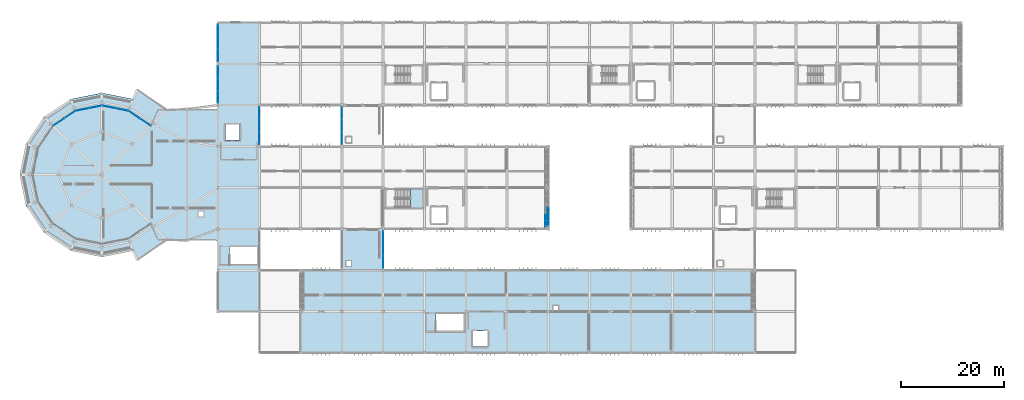
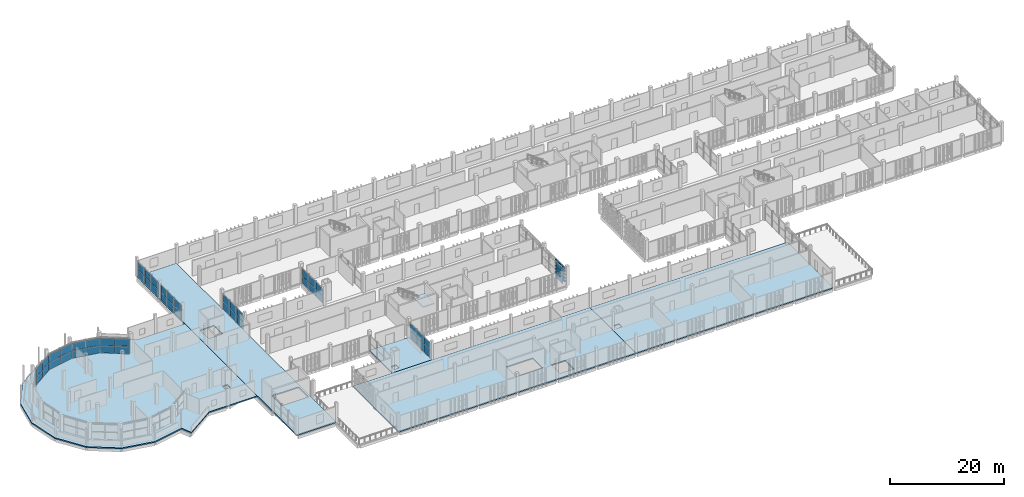
# One storey, part 40 of 63: 58 plates, 6 slabs, 11 elements without a shape of their own.
"""IFC4 building model written with IfcOpenShell, lengths in metres."""

from ifc_helpers import new_model, si_unit, direction, frame, origin, origin_2d, place, context, subcontext, project, spatial, polyline, rectangle, outline, extrude, material, layer, layer_set, type_object, element, aggregate, save


model = new_model("IFC4")

# Units and contexts
model_context = context("Model", 3, precision=1e-05, world=origin(), true_north=direction((0.0, 1.0)))
body_context = subcontext(model_context, "Body", "Model", "MODEL_VIEW")
ifc_project = project(units=[si_unit("LENGTHUNIT", "METRE"), si_unit("AREAUNIT", "SQUARE_METRE"), si_unit("VOLUMEUNIT", "CUBIC_METRE"), si_unit("PLANEANGLEUNIT", "RADIAN"), si_unit("MASSUNIT", "GRAM", prefix="KILO")], contexts=[model_context])

# Site, building, storey
site_placement = place(None, origin())
site = spatial("IfcSite", under=ifc_project, at=site_placement, CompositionType="ELEMENT")
building_placement = place(site_placement, origin())
building = spatial("IfcBuilding", under=site, at=building_placement, Name="Jelvoka-Kovrelna Polytechnic", CompositionType="ELEMENT")
storey_placement = place(building_placement, frame((0.0, 0.0, 18.0)))
storey = spatial("IfcBuildingStorey", under=building, at=storey_placement, Name="L05", CompositionType="ELEMENT", Elevation=18.0)

# Curtain wall, plates
ifc_material_1 = material(Name="Anodised aluminium 6063-T6", Category="aluminium")
ifc_layer_1 = layer(ifc_material_1, 0.159912109375)
ifc_layer_set_1 = layer_set([ifc_layer_1], Name="Anodised aluminium 6063-T6")
curtain_wall_type_1 = type_object("IfcCurtainWallType", Name="CW_Recessed_A", PredefinedType="NOTDEFINED", material=ifc_layer_set_1)
curtain_wall_1_placement = place(storey_placement, origin())
curtain_wall_1 = element("IfcCurtainWall", 1, at=curtain_wall_1_placement, inside=storey, type_object=curtain_wall_type_1, Name="L05 glazed curtain wall 033", PredefinedType="NOTDEFINED")
ifc_material_2 = material(Name="Solar-control double glazing", Category="glass")
ifc_layer_2 = layer(ifc_material_2, 0.028076171875)
ifc_layer_set_2 = layer_set([ifc_layer_2], Name="Solar-control double glazing")
plate_type_1 = type_object("IfcPlateType", Name="Panel_GP-01", PredefinedType="CURTAIN_PANEL", material=ifc_layer_set_2)
plate_1_placement = place(storey_placement, frame((111.43994140625, 33.614990234375, 0.052001953125), z_axis=(0.0, 0.0, 1.0), x_axis=(0.0, -1.0, 0.0)))
plate_1 = element("IfcPlate", 2, at=plate_1_placement, type_object=plate_type_1, Name="CW-01 panel 3.1", PredefinedType="CURTAIN_PANEL", context=body_context, shape_type="SweptSolid", body=[
    extrude(rectangle(XDim=2.326171875, YDim=0.028076171875, at=origin_2d()), origin(), (0.0, 0.0, 1.0), 1.60107421875),
])
plate_2_placement = place(storey_placement, frame((111.43994140625, 33.614990234375, 1.697021484375), z_axis=(0.0, 0.0, 1.0), x_axis=(0.0, -1.0, 0.0)))
plate_2 = element("IfcPlate", 3, at=plate_2_placement, type_object=plate_type_1, Name="CW-01 panel 3.2", PredefinedType="CURTAIN_PANEL", context=body_context, shape_type="SweptSolid", body=[
    extrude(rectangle(XDim=2.326171875, YDim=0.028076171875, at=origin_2d()), origin(), (0.0, 0.0, 1.0), 1.60107421875),
])
aggregate(curtain_wall_1, [plate_1, plate_2])

ifc_material_3 = material(Name="Anodised aluminium 6063-T6", Category="aluminium")
ifc_layer_3 = layer(ifc_material_3, 0.159912109375)
ifc_layer_set_3 = layer_set([ifc_layer_3], Name="Anodised aluminium 6063-T6")
curtain_wall_type_2 = type_object("IfcCurtainWallType", Name="CW_LinkBridge", PredefinedType="NOTDEFINED", material=ifc_layer_set_3)
curtain_wall_2_placement = place(storey_placement, origin())
curtain_wall_2 = element("IfcCurtainWall", 4, at=curtain_wall_2_placement, inside=storey, type_object=curtain_wall_type_2, Name="L05 glazed curtain wall 146", PredefinedType="NOTDEFINED")
ifc_material_4 = material(Name="Solar-control double glazing", Category="glass")
ifc_layer_4 = layer(ifc_material_4, 0.02392578125)
ifc_layer_set_4 = layer_set([ifc_layer_4], Name="Solar-control double glazing")
plate_type_2 = type_object("IfcPlateType", Name="Panel_GP-04", PredefinedType="CURTAIN_PANEL", material=ifc_layer_set_4)
plate_3_placement = place(storey_placement, frame((72.0, 49.614990234375, 0.052001953125), z_axis=(0.0, 0.0, 1.0), x_axis=(0.0, 1.0, 0.0)))
plate_3 = element("IfcPlate", 5, at=plate_3_placement, type_object=plate_type_2, Name="CW-04 panel 1.1", PredefinedType="CURTAIN_PANEL", context=body_context, shape_type="SweptSolid", body=[
    extrude(rectangle(XDim=2.326171875, YDim=0.02392578125, at=origin_2d()), origin(), (0.0, 0.0, 1.0), 1.593505859375),
])
plate_4_placement = place(storey_placement, frame((72.0, 49.614990234375, 1.689697265625), z_axis=(0.0, 0.0, 1.0), x_axis=(0.0, 1.0, 0.0)))
plate_4 = element("IfcPlate", 6, at=plate_4_placement, type_object=plate_type_2, Name="CW-04 panel 1.2", PredefinedType="CURTAIN_PANEL", context=body_context, shape_type="SweptSolid", body=[
    extrude(rectangle(XDim=2.326171875, YDim=0.02392578125, at=origin_2d()), origin(), (0.0, 0.0, 1.0), 1.593505859375),
])
plate_5_placement = place(storey_placement, frame((72.0, 52.0, 0.052001953125), z_axis=(0.0, 0.0, 1.0), x_axis=(0.0, 1.0, 0.0)))
plate_5 = element("IfcPlate", 7, at=plate_5_placement, type_object=plate_type_2, Name="CW-04 panel 2.1", PredefinedType="CURTAIN_PANEL", context=body_context, shape_type="SweptSolid", body=[
    extrude(rectangle(XDim=2.356201171875, YDim=0.02392578125, at=origin_2d()), origin(), (0.0, 0.0, 1.0), 1.593505859375),
])
plate_6_placement = place(storey_placement, frame((72.0, 52.0, 1.689697265625), z_axis=(0.0, 0.0, 1.0), x_axis=(0.0, 1.0, 0.0)))
plate_6 = element("IfcPlate", 8, at=plate_6_placement, type_object=plate_type_2, Name="CW-04 panel 2.2", PredefinedType="CURTAIN_PANEL", context=body_context, shape_type="SweptSolid", body=[
    extrude(rectangle(XDim=2.356201171875, YDim=0.02392578125, at=origin_2d()), origin(), (0.0, 0.0, 1.0), 1.593505859375),
])
plate_7_placement = place(storey_placement, frame((72.0, 54.385009765625, 0.052001953125), z_axis=(0.0, 0.0, 1.0), x_axis=(0.0, 1.0, 0.0)))
plate_7 = element("IfcPlate", 9, at=plate_7_placement, type_object=plate_type_2, Name="CW-04 panel 3.1", PredefinedType="CURTAIN_PANEL", context=body_context, shape_type="SweptSolid", body=[
    extrude(rectangle(XDim=2.326171875, YDim=0.02392578125, at=origin_2d()), origin(), (0.0, 0.0, 1.0), 1.593505859375),
])
plate_8_placement = place(storey_placement, frame((72.0, 54.385009765625, 1.689697265625), z_axis=(0.0, 0.0, 1.0), x_axis=(0.0, 1.0, 0.0)))
plate_8 = element("IfcPlate", 10, at=plate_8_placement, type_object=plate_type_2, Name="CW-04 panel 3.2", PredefinedType="CURTAIN_PANEL", context=body_context, shape_type="SweptSolid", body=[
    extrude(rectangle(XDim=2.326171875, YDim=0.02392578125, at=origin_2d()), origin(), (0.0, 0.0, 1.0), 1.593505859375),
])
aggregate(curtain_wall_2, [plate_3, plate_4, plate_5, plate_6, plate_7, plate_8])

curtain_wall_3_placement = place(storey_placement, origin())
curtain_wall_3 = element("IfcCurtainWall", 11, at=curtain_wall_3_placement, inside=storey, type_object=curtain_wall_type_2, Name="L05 glazed curtain wall 149", PredefinedType="NOTDEFINED")
plate_9_placement = place(storey_placement, frame((80.0, 30.385009765625, 0.052001953125), z_axis=(0.0, 0.0, 1.0), x_axis=(0.0, -1.0, 0.0)))
plate_9 = element("IfcPlate", 12, at=plate_9_placement, type_object=plate_type_2, Name="CW-04 panel 1.1", PredefinedType="CURTAIN_PANEL", context=body_context, shape_type="SweptSolid", body=[
    extrude(rectangle(XDim=2.326171875, YDim=0.02392578125, at=origin_2d()), origin(), (0.0, 0.0, 1.0), 1.60107421875),
])
plate_10_placement = place(storey_placement, frame((80.0, 30.385009765625, 1.697021484375), z_axis=(0.0, 0.0, 1.0), x_axis=(0.0, -1.0, 0.0)))
plate_10 = element("IfcPlate", 13, at=plate_10_placement, type_object=plate_type_2, Name="CW-04 panel 1.2", PredefinedType="CURTAIN_PANEL", context=body_context, shape_type="SweptSolid", body=[
    extrude(rectangle(XDim=2.326171875, YDim=0.02392578125, at=origin_2d()), origin(), (0.0, 0.0, 1.0), 1.60107421875),
])
plate_11_placement = place(storey_placement, frame((80.0, 28.0, 0.052001953125), z_axis=(0.0, 0.0, 1.0), x_axis=(0.0, -1.0, 0.0)))
plate_11 = element("IfcPlate", 14, at=plate_11_placement, type_object=plate_type_2, Name="CW-04 panel 2.1", PredefinedType="CURTAIN_PANEL", context=body_context, shape_type="SweptSolid", body=[
    extrude(rectangle(XDim=2.356201171875, YDim=0.02392578125, at=origin_2d()), origin(), (0.0, 0.0, 1.0), 1.60107421875),
])
plate_12_placement = place(storey_placement, frame((80.0, 28.0, 1.697021484375), z_axis=(0.0, 0.0, 1.0), x_axis=(0.0, -1.0, 0.0)))
plate_12 = element("IfcPlate", 15, at=plate_12_placement, type_object=plate_type_2, Name="CW-04 panel 2.2", PredefinedType="CURTAIN_PANEL", context=body_context, shape_type="SweptSolid", body=[
    extrude(rectangle(XDim=2.356201171875, YDim=0.02392578125, at=origin_2d()), origin(), (0.0, 0.0, 1.0), 1.60107421875),
])
plate_13_placement = place(storey_placement, frame((80.0, 25.614990234375, 0.052001953125), z_axis=(0.0, 0.0, 1.0), x_axis=(0.0, -1.0, 0.0)))
plate_13 = element("IfcPlate", 16, at=plate_13_placement, type_object=plate_type_2, Name="CW-04 panel 3.1", PredefinedType="CURTAIN_PANEL", context=body_context, shape_type="SweptSolid", body=[
    extrude(rectangle(XDim=2.326171875, YDim=0.02392578125, at=origin_2d()), origin(), (0.0, 0.0, 1.0), 1.60107421875),
])
plate_14_placement = place(storey_placement, frame((80.0, 25.614990234375, 1.697021484375), z_axis=(0.0, 0.0, 1.0), x_axis=(0.0, -1.0, 0.0)))
plate_14 = element("IfcPlate", 17, at=plate_14_placement, type_object=plate_type_2, Name="CW-04 panel 3.2", PredefinedType="CURTAIN_PANEL", context=body_context, shape_type="SweptSolid", body=[
    extrude(rectangle(XDim=2.326171875, YDim=0.02392578125, at=origin_2d()), origin(), (0.0, 0.0, 1.0), 1.60107421875),
])
aggregate(curtain_wall_3, [plate_9, plate_10, plate_11, plate_12, plate_13, plate_14])

ifc_material_5 = material(Name="Anodised aluminium 6063-T6", Category="aluminium")
ifc_layer_5 = layer(ifc_material_5, 0.179931640625)
ifc_layer_set_5 = layer_set([ifc_layer_5], Name="Anodised aluminium 6063-T6")
curtain_wall_type_3 = type_object("IfcCurtainWallType", Name="CW_Pavilion", PredefinedType="NOTDEFINED", material=ifc_layer_set_5)
curtain_wall_4_placement = place(storey_placement, origin())
curtain_wall_4 = element("IfcCurtainWall", 18, at=curtain_wall_4_placement, inside=storey, type_object=curtain_wall_type_3, Name="L05 glazed curtain wall 153", PredefinedType="NOTDEFINED")
ifc_material_6 = material(Name="Solar-control double glazing", Category="glass")
ifc_layer_6 = layer(ifc_material_6, 0.030029296875)
ifc_layer_set_6 = layer_set([ifc_layer_6], Name="Solar-control double glazing")
plate_type_3 = type_object("IfcPlateType", Name="Panel_GP-05", PredefinedType="CURTAIN_PANEL", material=ifc_layer_set_6)
plate_15_placement = place(storey_placement, frame((56.0, 54.3837890625, 0.056884765625), z_axis=(0.0, 0.0, 1.0), x_axis=(0.0, -1.0, 0.0)))
plate_15 = element("IfcPlate", 19, at=plate_15_placement, type_object=plate_type_3, Name="CW-05 panel 1.1", PredefinedType="CURTAIN_PANEL", context=body_context, shape_type="SweptSolid", body=[
    extrude(rectangle(XDim=2.318603515625, YDim=0.030029296875, at=origin_2d()), origin(), (0.0, 0.0, 1.0), 1.593505859375),
])
plate_16_placement = place(storey_placement, frame((56.0, 54.3837890625, 1.699462890625), z_axis=(0.0, 0.0, 1.0), x_axis=(0.0, -1.0, 0.0)))
plate_16 = element("IfcPlate", 20, at=plate_16_placement, type_object=plate_type_3, Name="CW-05 panel 1.2", PredefinedType="CURTAIN_PANEL", context=body_context, shape_type="SweptSolid", body=[
    extrude(rectangle(XDim=2.318603515625, YDim=0.030029296875, at=origin_2d()), origin(), (0.0, 0.0, 1.0), 1.593505859375),
])
plate_17_placement = place(storey_placement, frame((56.0, 52.0, 0.056884765625), z_axis=(0.0, 0.0, 1.0), x_axis=(0.0, -1.0, 0.0)))
plate_17 = element("IfcPlate", 21, at=plate_17_placement, type_object=plate_type_3, Name="CW-05 panel 2.1", PredefinedType="CURTAIN_PANEL", context=body_context, shape_type="SweptSolid", body=[
    extrude(rectangle(XDim=2.35107421875, YDim=0.030029296875, at=origin_2d()), origin(), (0.0, 0.0, 1.0), 1.593505859375),
])
plate_18_placement = place(storey_placement, frame((56.0, 52.0, 1.699462890625), z_axis=(0.0, 0.0, 1.0), x_axis=(0.0, -1.0, 0.0)))
plate_18 = element("IfcPlate", 22, at=plate_18_placement, type_object=plate_type_3, Name="CW-05 panel 2.2", PredefinedType="CURTAIN_PANEL", context=body_context, shape_type="SweptSolid", body=[
    extrude(rectangle(XDim=2.35107421875, YDim=0.030029296875, at=origin_2d()), origin(), (0.0, 0.0, 1.0), 1.593505859375),
])
plate_19_placement = place(storey_placement, frame((56.0, 49.6162109375, 0.056884765625), z_axis=(0.0, 0.0, 1.0), x_axis=(0.0, -1.0, 0.0)))
plate_19 = element("IfcPlate", 23, at=plate_19_placement, type_object=plate_type_3, Name="CW-05 panel 3.1", PredefinedType="CURTAIN_PANEL", context=body_context, shape_type="SweptSolid", body=[
    extrude(rectangle(XDim=2.318603515625, YDim=0.030029296875, at=origin_2d()), origin(), (0.0, 0.0, 1.0), 1.593505859375),
])
plate_20_placement = place(storey_placement, frame((56.0, 49.6162109375, 1.699462890625), z_axis=(0.0, 0.0, 1.0), x_axis=(0.0, -1.0, 0.0)))
plate_20 = element("IfcPlate", 24, at=plate_20_placement, type_object=plate_type_3, Name="CW-05 panel 3.2", PredefinedType="CURTAIN_PANEL", context=body_context, shape_type="SweptSolid", body=[
    extrude(rectangle(XDim=2.318603515625, YDim=0.030029296875, at=origin_2d()), origin(), (0.0, 0.0, 1.0), 1.593505859375),
])
aggregate(curtain_wall_4, [plate_15, plate_16, plate_17, plate_18, plate_19, plate_20])

curtain_wall_5_placement = place(storey_placement, origin())
curtain_wall_5 = element("IfcCurtainWall", 25, at=curtain_wall_5_placement, inside=storey, type_object=curtain_wall_type_3, Name="L05 glazed curtain wall 154", PredefinedType="NOTDEFINED")
plate_21_placement = place(storey_placement, frame((48.0, 57.6162109375, 0.056884765625), z_axis=(0.0, 0.0, 1.0), x_axis=(0.0, 1.0, 0.0)))
plate_21 = element("IfcPlate", 26, at=plate_21_placement, type_object=plate_type_3, Name="CW-05 panel 1.1", PredefinedType="CURTAIN_PANEL", context=body_context, shape_type="SweptSolid", body=[
    extrude(rectangle(XDim=2.318603515625, YDim=0.030029296875, at=origin_2d()), origin(), (0.0, 0.0, 1.0), 1.593505859375),
])
plate_22_placement = place(storey_placement, frame((48.0, 57.6162109375, 1.699462890625), z_axis=(0.0, 0.0, 1.0), x_axis=(0.0, 1.0, 0.0)))
plate_22 = element("IfcPlate", 27, at=plate_22_placement, type_object=plate_type_3, Name="CW-05 panel 1.2", PredefinedType="CURTAIN_PANEL", context=body_context, shape_type="SweptSolid", body=[
    extrude(rectangle(XDim=2.318603515625, YDim=0.030029296875, at=origin_2d()), origin(), (0.0, 0.0, 1.0), 1.593505859375),
])
plate_23_placement = place(storey_placement, frame((48.0, 60.0, 0.056884765625), z_axis=(0.0, 0.0, 1.0), x_axis=(0.0, 1.0, 0.0)))
plate_23 = element("IfcPlate", 28, at=plate_23_placement, type_object=plate_type_3, Name="CW-05 panel 2.1", PredefinedType="CURTAIN_PANEL", context=body_context, shape_type="SweptSolid", body=[
    extrude(rectangle(XDim=2.35107421875, YDim=0.030029296875, at=origin_2d()), origin(), (0.0, 0.0, 1.0), 1.593505859375),
])
plate_24_placement = place(storey_placement, frame((48.0, 60.0, 1.699462890625), z_axis=(0.0, 0.0, 1.0), x_axis=(0.0, 1.0, 0.0)))
plate_24 = element("IfcPlate", 29, at=plate_24_placement, type_object=plate_type_3, Name="CW-05 panel 2.2", PredefinedType="CURTAIN_PANEL", context=body_context, shape_type="SweptSolid", body=[
    extrude(rectangle(XDim=2.35107421875, YDim=0.030029296875, at=origin_2d()), origin(), (0.0, 0.0, 1.0), 1.593505859375),
])
plate_25_placement = place(storey_placement, frame((48.0, 62.3837890625, 0.056884765625), z_axis=(0.0, 0.0, 1.0), x_axis=(0.0, 1.0, 0.0)))
plate_25 = element("IfcPlate", 30, at=plate_25_placement, type_object=plate_type_3, Name="CW-05 panel 3.1", PredefinedType="CURTAIN_PANEL", context=body_context, shape_type="SweptSolid", body=[
    extrude(rectangle(XDim=2.318603515625, YDim=0.030029296875, at=origin_2d()), origin(), (0.0, 0.0, 1.0), 1.593505859375),
])
plate_26_placement = place(storey_placement, frame((48.0, 62.3837890625, 1.699462890625), z_axis=(0.0, 0.0, 1.0), x_axis=(0.0, 1.0, 0.0)))
plate_26 = element("IfcPlate", 31, at=plate_26_placement, type_object=plate_type_3, Name="CW-05 panel 3.2", PredefinedType="CURTAIN_PANEL", context=body_context, shape_type="SweptSolid", body=[
    extrude(rectangle(XDim=2.318603515625, YDim=0.030029296875, at=origin_2d()), origin(), (0.0, 0.0, 1.0), 1.593505859375),
])
aggregate(curtain_wall_5, [plate_21, plate_22, plate_23, plate_24, plate_25, plate_26])

curtain_wall_6_placement = place(storey_placement, origin())
curtain_wall_6 = element("IfcCurtainWall", 32, at=curtain_wall_6_placement, inside=storey, type_object=curtain_wall_type_3, Name="L05 glazed curtain wall 155", PredefinedType="NOTDEFINED")
plate_27_placement = place(storey_placement, frame((48.0, 65.6162109375, 0.056884765625), z_axis=(0.0, 0.0, 1.0), x_axis=(0.0, 1.0, 0.0)))
plate_27 = element("IfcPlate", 33, at=plate_27_placement, type_object=plate_type_3, Name="CW-05 panel 1.1", PredefinedType="CURTAIN_PANEL", context=body_context, shape_type="SweptSolid", body=[
    extrude(rectangle(XDim=2.318603515625, YDim=0.030029296875, at=origin_2d()), origin(), (0.0, 0.0, 1.0), 1.593505859375),
])
plate_28_placement = place(storey_placement, frame((48.0, 65.6162109375, 1.699462890625), z_axis=(0.0, 0.0, 1.0), x_axis=(0.0, 1.0, 0.0)))
plate_28 = element("IfcPlate", 34, at=plate_28_placement, type_object=plate_type_3, Name="CW-05 panel 1.2", PredefinedType="CURTAIN_PANEL", context=body_context, shape_type="SweptSolid", body=[
    extrude(rectangle(XDim=2.318603515625, YDim=0.030029296875, at=origin_2d()), origin(), (0.0, 0.0, 1.0), 1.593505859375),
])
plate_29_placement = place(storey_placement, frame((48.0, 68.0, 0.056884765625), z_axis=(0.0, 0.0, 1.0), x_axis=(0.0, 1.0, 0.0)))
plate_29 = element("IfcPlate", 35, at=plate_29_placement, type_object=plate_type_3, Name="CW-05 panel 2.1", PredefinedType="CURTAIN_PANEL", context=body_context, shape_type="SweptSolid", body=[
    extrude(rectangle(XDim=2.35107421875, YDim=0.030029296875, at=origin_2d()), origin(), (0.0, 0.0, 1.0), 1.593505859375),
])
plate_30_placement = place(storey_placement, frame((48.0, 68.0, 1.699462890625), z_axis=(0.0, 0.0, 1.0), x_axis=(0.0, 1.0, 0.0)))
plate_30 = element("IfcPlate", 36, at=plate_30_placement, type_object=plate_type_3, Name="CW-05 panel 2.2", PredefinedType="CURTAIN_PANEL", context=body_context, shape_type="SweptSolid", body=[
    extrude(rectangle(XDim=2.35107421875, YDim=0.030029296875, at=origin_2d()), origin(), (0.0, 0.0, 1.0), 1.593505859375),
])
plate_31_placement = place(storey_placement, frame((48.0, 70.3837890625, 0.056884765625), z_axis=(0.0, 0.0, 1.0), x_axis=(0.0, 1.0, 0.0)))
plate_31 = element("IfcPlate", 37, at=plate_31_placement, type_object=plate_type_3, Name="CW-05 panel 3.1", PredefinedType="CURTAIN_PANEL", context=body_context, shape_type="SweptSolid", body=[
    extrude(rectangle(XDim=2.318603515625, YDim=0.030029296875, at=origin_2d()), origin(), (0.0, 0.0, 1.0), 1.593505859375),
])
plate_32_placement = place(storey_placement, frame((48.0, 70.3837890625, 1.699462890625), z_axis=(0.0, 0.0, 1.0), x_axis=(0.0, 1.0, 0.0)))
plate_32 = element("IfcPlate", 38, at=plate_32_placement, type_object=plate_type_3, Name="CW-05 panel 3.2", PredefinedType="CURTAIN_PANEL", context=body_context, shape_type="SweptSolid", body=[
    extrude(rectangle(XDim=2.318603515625, YDim=0.030029296875, at=origin_2d()), origin(), (0.0, 0.0, 1.0), 1.593505859375),
])
aggregate(curtain_wall_6, [plate_27, plate_28, plate_29, plate_30, plate_31, plate_32])

curtain_wall_7_placement = place(storey_placement, origin())
curtain_wall_7 = element("IfcCurtainWall", 39, at=curtain_wall_7_placement, inside=storey, type_object=curtain_wall_type_3, Name="L05 glazed curtain wall 255", PredefinedType="NOTDEFINED")
plate_33_placement = place(storey_placement, frame((31.728271484375, 54.144775390625, 0.056884765625), z_axis=(0.0, 0.0, 1.0), x_axis=(0.83146132254, -0.555582639326, 0.0)))
plate_33 = element("IfcPlate", 40, at=plate_33_placement, type_object=plate_type_3, Name="CW-05 panel 1.1", PredefinedType="CURTAIN_PANEL", context=body_context, shape_type="SweptSolid", body=[
    extrude(rectangle(XDim=2.53271484375, YDim=0.030029296875, at=origin_2d()), origin(), (0.0, 0.0, 1.0), 1.593505859375),
])
plate_34_placement = place(storey_placement, frame((31.728271484375, 54.144775390625, 1.699462890625), z_axis=(0.0, 0.0, 1.0), x_axis=(0.83146132254, -0.555582639326, 0.0)))
plate_34 = element("IfcPlate", 41, at=plate_34_placement, type_object=plate_type_3, Name="CW-05 panel 1.2", PredefinedType="CURTAIN_PANEL", context=body_context, shape_type="SweptSolid", body=[
    extrude(rectangle(XDim=2.53271484375, YDim=0.030029296875, at=origin_2d()), origin(), (0.0, 0.0, 1.0), 1.593505859375),
])
plate_35_placement = place(storey_placement, frame((33.875, 52.71044921875, 0.056884765625), z_axis=(0.0, 0.0, 1.0), x_axis=(0.83146132254, -0.555582639326, 0.0)))
plate_35 = element("IfcPlate", 42, at=plate_35_placement, type_object=plate_type_3, Name="CW-05 panel 2.1", PredefinedType="CURTAIN_PANEL", context=body_context, shape_type="SweptSolid", body=[
    extrude(rectangle(XDim=2.53271484375, YDim=0.030029296875, at=origin_2d()), origin(), (0.0, 0.0, 1.0), 1.593505859375),
])
plate_36_placement = place(storey_placement, frame((33.875, 52.71044921875, 1.699462890625), z_axis=(0.0, 0.0, 1.0), x_axis=(0.83146132254, -0.555582639326, 0.0)))
plate_36 = element("IfcPlate", 43, at=plate_36_placement, type_object=plate_type_3, Name="CW-05 panel 2.2", PredefinedType="CURTAIN_PANEL", context=body_context, shape_type="SweptSolid", body=[
    extrude(rectangle(XDim=2.53271484375, YDim=0.030029296875, at=origin_2d()), origin(), (0.0, 0.0, 1.0), 1.593505859375),
])
aggregate(curtain_wall_7, [plate_33, plate_34, plate_35, plate_36])

curtain_wall_8_placement = place(storey_placement, origin())
curtain_wall_8 = element("IfcCurtainWall", 44, at=curtain_wall_8_placement, inside=storey, type_object=curtain_wall_type_3, Name="L05 glazed curtain wall 256", PredefinedType="NOTDEFINED")
plate_37_placement = place(storey_placement, frame((26.7978515625, 55.641845703125, 0.056884765625), z_axis=(0.0, 0.0, 1.0), x_axis=(0.980786108197, -0.195086160371, 0.0)))
plate_37 = element("IfcPlate", 45, at=plate_37_placement, type_object=plate_type_3, Name="CW-05 panel 1.1", PredefinedType="CURTAIN_PANEL", context=body_context, shape_type="SweptSolid", body=[
    extrude(rectangle(XDim=2.532958984375, YDim=0.030029296875, at=origin_2d()), origin(), (0.0, 0.0, 1.0), 1.593505859375),
])
plate_38_placement = place(storey_placement, frame((26.7978515625, 55.641845703125, 1.699462890625), z_axis=(0.0, 0.0, 1.0), x_axis=(0.980786108197, -0.195086160371, 0.0)))
plate_38 = element("IfcPlate", 46, at=plate_38_placement, type_object=plate_type_3, Name="CW-05 panel 1.2", PredefinedType="CURTAIN_PANEL", context=body_context, shape_type="SweptSolid", body=[
    extrude(rectangle(XDim=2.532958984375, YDim=0.030029296875, at=origin_2d()), origin(), (0.0, 0.0, 1.0), 1.593505859375),
])
plate_39_placement = place(storey_placement, frame((29.330078125, 55.13818359375, 0.056884765625), z_axis=(0.0, 0.0, 1.0), x_axis=(0.980786108197, -0.195086160371, 0.0)))
plate_39 = element("IfcPlate", 47, at=plate_39_placement, type_object=plate_type_3, Name="CW-05 panel 2.1", PredefinedType="CURTAIN_PANEL", context=body_context, shape_type="SweptSolid", body=[
    extrude(rectangle(XDim=2.532958984375, YDim=0.030029296875, at=origin_2d()), origin(), (0.0, 0.0, 1.0), 1.593505859375),
])
plate_40_placement = place(storey_placement, frame((29.330078125, 55.13818359375, 1.699462890625), z_axis=(0.0, 0.0, 1.0), x_axis=(0.980786108197, -0.195086160371, 0.0)))
plate_40 = element("IfcPlate", 48, at=plate_40_placement, type_object=plate_type_3, Name="CW-05 panel 2.2", PredefinedType="CURTAIN_PANEL", context=body_context, shape_type="SweptSolid", body=[
    extrude(rectangle(XDim=2.532958984375, YDim=0.030029296875, at=origin_2d()), origin(), (0.0, 0.0, 1.0), 1.593505859375),
])
aggregate(curtain_wall_8, [plate_37, plate_38, plate_39, plate_40])

curtain_wall_9_placement = place(storey_placement, origin())
curtain_wall_9 = element("IfcCurtainWall", 49, at=curtain_wall_9_placement, inside=storey, type_object=curtain_wall_type_3, Name="L05 glazed curtain wall 257", PredefinedType="NOTDEFINED")
plate_41_placement = place(storey_placement, frame((21.669921875, 55.13818359375, 0.056884765625), z_axis=(0.0, 0.0, 1.0), x_axis=(0.980786108197, 0.195086160371, 0.0)))
plate_41 = element("IfcPlate", 50, at=plate_41_placement, type_object=plate_type_3, Name="CW-05 panel 1.1", PredefinedType="CURTAIN_PANEL", context=body_context, shape_type="SweptSolid", body=[
    extrude(rectangle(XDim=2.532958984375, YDim=0.030029296875, at=origin_2d()), origin(), (0.0, 0.0, 1.0), 1.593505859375),
])
plate_42_placement = place(storey_placement, frame((21.669921875, 55.13818359375, 1.699462890625), z_axis=(0.0, 0.0, 1.0), x_axis=(0.980786108197, 0.195086160371, 0.0)))
plate_42 = element("IfcPlate", 51, at=plate_42_placement, type_object=plate_type_3, Name="CW-05 panel 1.2", PredefinedType="CURTAIN_PANEL", context=body_context, shape_type="SweptSolid", body=[
    extrude(rectangle(XDim=2.532958984375, YDim=0.030029296875, at=origin_2d()), origin(), (0.0, 0.0, 1.0), 1.593505859375),
])
plate_43_placement = place(storey_placement, frame((24.2021484375, 55.641845703125, 0.056884765625), z_axis=(0.0, 0.0, 1.0), x_axis=(0.980786108197, 0.195086160371, 0.0)))
plate_43 = element("IfcPlate", 52, at=plate_43_placement, type_object=plate_type_3, Name="CW-05 panel 2.1", PredefinedType="CURTAIN_PANEL", context=body_context, shape_type="SweptSolid", body=[
    extrude(rectangle(XDim=2.532958984375, YDim=0.030029296875, at=origin_2d()), origin(), (0.0, 0.0, 1.0), 1.593505859375),
])
plate_44_placement = place(storey_placement, frame((24.2021484375, 55.641845703125, 1.699462890625), z_axis=(0.0, 0.0, 1.0), x_axis=(0.980786108197, 0.195086160371, 0.0)))
plate_44 = element("IfcPlate", 53, at=plate_44_placement, type_object=plate_type_3, Name="CW-05 panel 2.2", PredefinedType="CURTAIN_PANEL", context=body_context, shape_type="SweptSolid", body=[
    extrude(rectangle(XDim=2.532958984375, YDim=0.030029296875, at=origin_2d()), origin(), (0.0, 0.0, 1.0), 1.593505859375),
])
aggregate(curtain_wall_9, [plate_41, plate_42, plate_43, plate_44])

curtain_wall_10_placement = place(storey_placement, origin())
curtain_wall_10 = element("IfcCurtainWall", 54, at=curtain_wall_10_placement, inside=storey, type_object=curtain_wall_type_3, Name="L05 glazed curtain wall 258", PredefinedType="NOTDEFINED")
plate_45_placement = place(storey_placement, frame((17.125, 52.71044921875, 0.056884765625), z_axis=(0.0, 0.0, 1.0), x_axis=(0.83146132254, 0.555582639326, 0.0)))
plate_45 = element("IfcPlate", 55, at=plate_45_placement, type_object=plate_type_3, Name="CW-05 panel 1.1", PredefinedType="CURTAIN_PANEL", context=body_context, shape_type="SweptSolid", body=[
    extrude(rectangle(XDim=2.53271484375, YDim=0.030029296875, at=origin_2d()), origin(), (0.0, 0.0, 1.0), 1.593505859375),
])
plate_46_placement = place(storey_placement, frame((17.125, 52.71044921875, 1.699462890625), z_axis=(0.0, 0.0, 1.0), x_axis=(0.83146132254, 0.555582639326, 0.0)))
plate_46 = element("IfcPlate", 56, at=plate_46_placement, type_object=plate_type_3, Name="CW-05 panel 1.2", PredefinedType="CURTAIN_PANEL", context=body_context, shape_type="SweptSolid", body=[
    extrude(rectangle(XDim=2.53271484375, YDim=0.030029296875, at=origin_2d()), origin(), (0.0, 0.0, 1.0), 1.593505859375),
])
plate_47_placement = place(storey_placement, frame((19.271728515625, 54.144775390625, 0.056884765625), z_axis=(0.0, 0.0, 1.0), x_axis=(0.83146132254, 0.555582639326, 0.0)))
plate_47 = element("IfcPlate", 57, at=plate_47_placement, type_object=plate_type_3, Name="CW-05 panel 2.1", PredefinedType="CURTAIN_PANEL", context=body_context, shape_type="SweptSolid", body=[
    extrude(rectangle(XDim=2.53271484375, YDim=0.030029296875, at=origin_2d()), origin(), (0.0, 0.0, 1.0), 1.593505859375),
])
plate_48_placement = place(storey_placement, frame((19.271728515625, 54.144775390625, 1.699462890625), z_axis=(0.0, 0.0, 1.0), x_axis=(0.83146132254, 0.555582639326, 0.0)))
plate_48 = element("IfcPlate", 58, at=plate_48_placement, type_object=plate_type_3, Name="CW-05 panel 2.2", PredefinedType="CURTAIN_PANEL", context=body_context, shape_type="SweptSolid", body=[
    extrude(rectangle(XDim=2.53271484375, YDim=0.030029296875, at=origin_2d()), origin(), (0.0, 0.0, 1.0), 1.593505859375),
])
aggregate(curtain_wall_10, [plate_45, plate_46, plate_47, plate_48])

# Plates
ifc_material_7 = material(Name="Perforated fired terracotta block", Category="masonry")
ifc_layer_7 = layer(ifc_material_7, 0.169921875)
ifc_layer_set_7 = layer_set([ifc_layer_7], Name="Perforated fired terracotta block")
plate_type_4 = type_object("IfcPlateType", Name="Screen_Terracotta_TP04", PredefinedType="USERDEFINED", material=ifc_layer_set_7)
for number, where, z_axis, x_axis, name in (
    (59, (111.97998046875, 33.60009765625, 0.18994140625), (0.0, 0.0, 1.0), (0.0, 1.0, 0.0), "L05 perforated terracotta lattice band 0321"),
    (60, (111.97998046875, 33.60009765625, 0.88232421875), (0.0, 0.0, 1.0), (0.0, 1.0, 0.0), "L05 perforated terracotta lattice band 0322"),
    (61, (111.97998046875, 33.60009765625, 1.5751953125), (0.0, 0.0, 1.0), (0.0, 1.0, 0.0), "L05 perforated terracotta lattice band 0323"),
    (62, (111.97998046875, 33.60009765625, 2.267578125), (0.0, 0.0, 1.0), (0.0, 1.0, 0.0), "L05 perforated terracotta lattice band 0324"),
    (63, (111.97998046875, 33.60009765625, 2.9599609375), (0.0, 0.0, 1.0), (0.0, 1.0, 0.0), "L05 perforated terracotta lattice band 0325"),
    (64, (111.97998046875, 35.199951171875, 0.18994140625), (0.0, 0.0, 1.0), (0.0, 1.0, 0.0), "L05 perforated terracotta lattice band 0326"),
    (65, (111.97998046875, 35.199951171875, 0.88232421875), (0.0, 0.0, 1.0), (0.0, 1.0, 0.0), "L05 perforated terracotta lattice band 0327"),
    (66, (111.97998046875, 35.199951171875, 1.5751953125), (0.0, 0.0, 1.0), (0.0, 1.0, 0.0), "L05 perforated terracotta lattice band 0328"),
    (67, (111.97998046875, 35.199951171875, 2.267578125), (0.0, 0.0, 1.0), (0.0, 1.0, 0.0), "L05 perforated terracotta lattice band 0329"),
    (68, (111.97998046875, 35.199951171875, 2.9599609375), (0.0, 0.0, 1.0), (0.0, 1.0, 0.0), "L05 perforated terracotta lattice band 0330"),
):
    element("IfcPlate", number, at=place(storey_placement, frame(where, z_axis=z_axis, x_axis=x_axis)), inside=storey, type_object=plate_type_4, Name=name, ObjectType="SCREEN PANEL", PredefinedType="USERDEFINED", context=body_context, shape_type="SweptSolid", body=[
        extrude(rectangle(XDim=1.56005859375, YDim=0.169921875, at=origin_2d()), origin(), (0.0, 0.0, 1.0), 0.260009765625),
    ])

# Slabs
ifc_material_8 = material(Name="Concrete C35/45", Category="concrete")
ifc_layer_8 = layer(ifc_material_8, 0.25)
ifc_layer_set_8 = layer_set([ifc_layer_8], Name="Concrete C35/45")
slab_type_1 = type_object("IfcSlabType", Name="Slab_Floor_250", PredefinedType="FLOOR", material=ifc_layer_set_8)
slab_1_placement = place(storey_placement, frame((0.0, 0.0, -0.25)))
element("IfcSlab", 69, at=slab_1_placement, inside=storey, type_object=slab_type_1, Name="L05 B1W structural slab", PredefinedType="FLOOR", context=body_context, shape_type="SweptSolid", body=[
    extrude(outline(polyline([(64.0, 8.0), (112.0, 8.0), (112.0, 24.0), (64.0, 24.0), (64.0, 8.0)]), holes=[polyline([(97.39990234375, 9.199951171875), (100.199951171875, 9.199951171875), (100.199951171875, 12.199951171875), (97.39990234375, 12.199951171875), (97.39990234375, 9.199951171875)]), polyline([(90.264892578125, 12.199951171875), (95.60009765625, 12.199951171875), (95.60009765625, 15.639892578125), (90.264892578125, 15.639892578125), (90.264892578125, 12.199951171875)])]), origin(), (0.0, 0.0, 1.0), 0.25),
])
slab_2_placement = place(storey_placement, frame((0.0, 0.0, -0.25)))
element("IfcSlab", 70, at=slab_2_placement, inside=storey, type_object=slab_type_1, Name="L05 B1E structural slab", PredefinedType="FLOOR", context=body_context, shape_type="SweptSolid", body=[
    extrude(outline(polyline([(112.0, 8.0), (152.0, 8.0), (152.0, 24.0), (112.0, 24.0), (112.0, 8.0)]), holes=[polyline([(112.949951171875, 16.14990234375), (113.949951171875, 16.14990234375), (113.949951171875, 17.14990234375), (112.949951171875, 17.14990234375), (112.949951171875, 16.14990234375)])]), origin(), (0.0, 0.0, 1.0), 0.25),
])
slab_3_placement = place(storey_placement, frame((0.0, 0.0, -0.25)))
element("IfcSlab", 71, at=slab_3_placement, inside=storey, type_object=slab_type_1, Name="L05 SPINE structural slab", PredefinedType="FLOOR", context=body_context, shape_type="SweptSolid", body=[
    extrude(outline(polyline([(48.0, 16.0), (56.0, 16.0), (56.0, 72.0), (48.0, 72.0), (48.0, 16.0)]), holes=[polyline([(49.39990234375, 49.199951171875), (52.199951171875, 49.199951171875), (52.199951171875, 52.199951171875), (49.39990234375, 52.199951171875), (49.39990234375, 49.199951171875)]), polyline([(50.264892578125, 25.10009765625), (55.60009765625, 25.10009765625), (55.60009765625, 28.5400390625), (50.264892578125, 28.5400390625), (50.264892578125, 25.10009765625)])]), origin(), (0.0, 0.0, 1.0), 0.25),
])
slab_4_placement = place(storey_placement, frame((0.0, 0.0, -0.25)))
element("IfcSlab", 72, at=slab_4_placement, inside=storey, type_object=slab_type_1, Name="L05 LNKSW structural slab", PredefinedType="FLOOR", context=body_context, shape_type="SweptSolid", body=[
    extrude(outline(polyline([(72.0, 24.0), (80.0, 24.0), (80.0, 32.0), (72.0, 32.0), (72.0, 24.0)]), holes=[polyline([(72.800048828125, 24.800048828125), (73.800048828125, 24.800048828125), (73.800048828125, 25.800048828125), (72.800048828125, 25.800048828125), (72.800048828125, 24.800048828125)])]), origin(), (0.0, 0.0, 1.0), 0.25),
])
slab_5_placement = place(storey_placement, frame((0.0, 0.0, -0.25)))
element("IfcSlab", 73, at=slab_5_placement, inside=storey, type_object=slab_type_1, Name="L05 rotunda gallery slab", PredefinedType="FLOOR", context=body_context, shape_type="SweptSolid", body=[
    extrude(outline(polyline([(48.0, 29.772216796875), (48.0, 55.227783203125), (38.227783203125, 55.227783203125), (32.38818359375, 59.1298828125), (31.5654296875, 57.1435546875), (25.5, 58.35009765625), (19.4345703125, 57.1435546875), (14.29248046875, 53.70751953125), (10.8564453125, 48.5654296875), (9.64990234375, 42.5), (10.8564453125, 36.4345703125), (14.29248046875, 31.29248046875), (19.4345703125, 27.8564453125), (25.5, 26.64990234375), (31.5654296875, 27.8564453125), (32.38818359375, 25.8701171875), (38.227783203125, 29.772216796875), (48.0, 29.772216796875)]), holes=[polyline([(44.199951171875, 34.39990234375), (45.199951171875, 34.39990234375), (45.199951171875, 35.39990234375), (44.199951171875, 35.39990234375), (44.199951171875, 34.39990234375)])]), origin(), (0.0, 0.0, 1.0), 0.25),
])

# Stair, slab
ifc_material_9 = material(Name="Concrete C35/45", Category="concrete")
stair_type = type_object("IfcStairType", Name="Stair_Dogleg_1620", PredefinedType="TWO_STRAIGHT_RUN_STAIR", material=ifc_material_9)
stair_placement = place(storey_placement, origin())
stair = element("IfcStair", 74, at=stair_placement, inside=storey, type_object=stair_type, Name="L05 ST07", PredefinedType="TWO_STRAIGHT_RUN_STAIR")
ifc_material_10 = material(Name="Concrete C35/45", Category="concrete")
ifc_layer_9 = layer(ifc_material_10, 0.199951171875)
ifc_layer_set_9 = layer_set([ifc_layer_9], Name="Concrete C35/45")
slab_type_2 = type_object("IfcSlabType", Name="Slab_Stair_Landing_200", PredefinedType="LANDING", material=ifc_layer_set_9)
slab_6_placement = place(storey_placement, frame((0.0, 0.0, 1.89990234375)))
slab_6 = element("IfcSlab", 75, at=slab_6_placement, type_object=slab_type_2, Name="ST07 landing 1", PredefinedType="LANDING", context=body_context, shape_type="SweptSolid", body=[
    extrude(outline(polyline([(85.27490234375, 36.199951171875), (87.60009765625, 36.199951171875), (87.60009765625, 39.639892578125), (85.27490234375, 39.639892578125), (85.27490234375, 36.199951171875)])), origin(), (0.0, 0.0, 1.0), 0.2001953125),
])
aggregate(stair, [slab_6])

save(model, "model.ifc")
